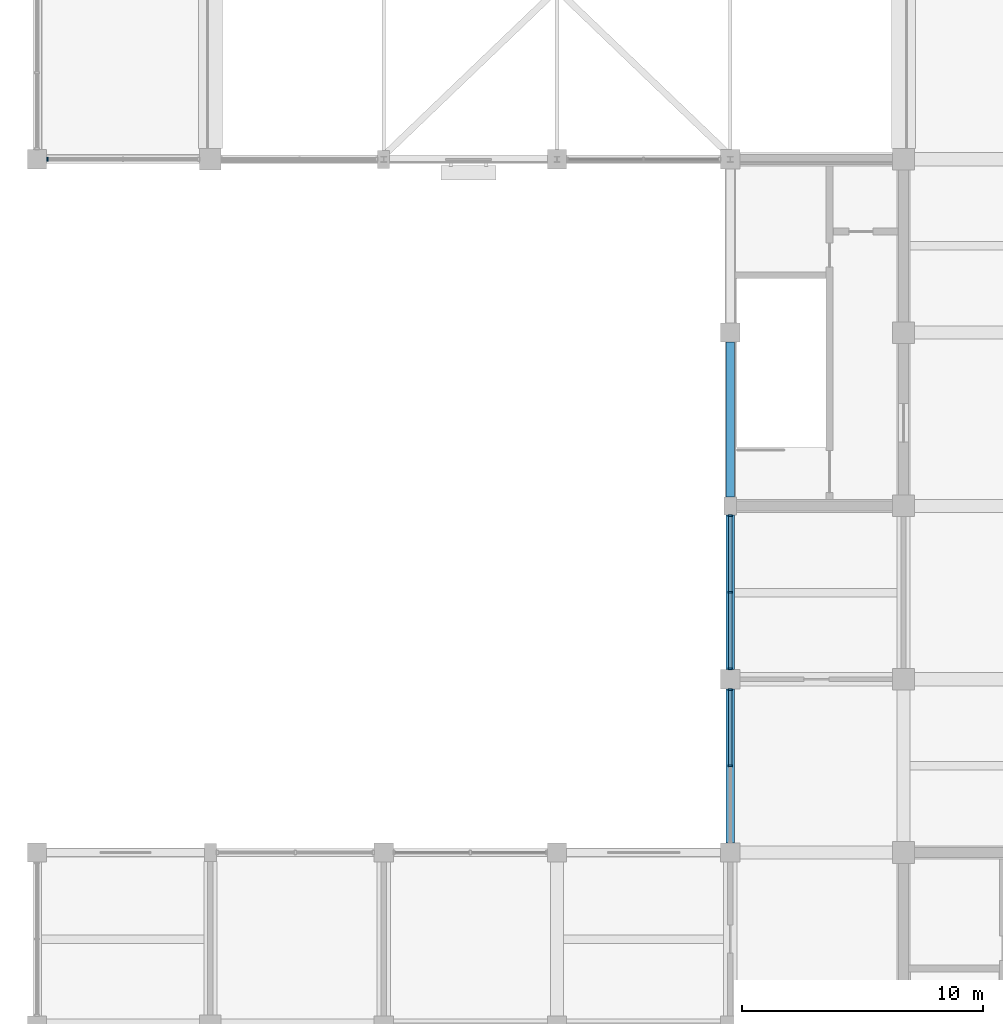
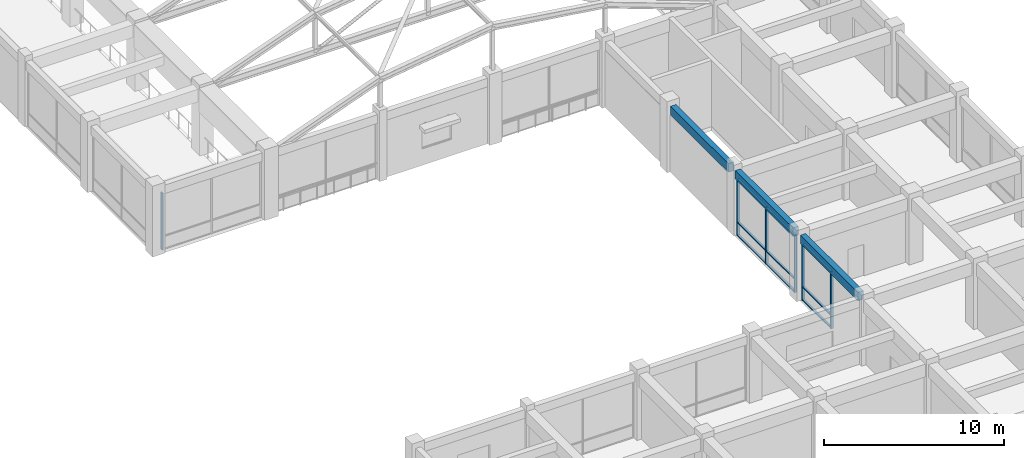
# One storey, part 6 of 75: 15 members, 3 beams, 3 elements without a shape of their own.
"""IFC4 building model written with IfcOpenShell, lengths in metres."""

from ifc_helpers import new_model, si_unit, direction, frame, origin, origin_2d, place, context, subcontext, project, spatial, rectangle, extrude, material, layer, layer_set, material_profile, profile_set, type_object, element, aggregate, save


model = new_model("IFC4")

# Units and contexts
model_context = context("Model", 3, precision=1e-05, world=origin(), true_north=direction((0.0, 1.0)))
body_context = subcontext(model_context, "Body", "Model", "MODEL_VIEW")
ifc_project = project(units=[si_unit("LENGTHUNIT", "METRE"), si_unit("AREAUNIT", "SQUARE_METRE"), si_unit("VOLUMEUNIT", "CUBIC_METRE"), si_unit("PLANEANGLEUNIT", "RADIAN"), si_unit("MASSUNIT", "GRAM", prefix="KILO")], contexts=[model_context])

# Site, building, storey
site_placement = place(None, origin())
site = spatial("IfcSite", under=ifc_project, at=site_placement, CompositionType="ELEMENT")
building_placement = place(site_placement, origin())
building = spatial("IfcBuilding", under=site, at=building_placement, Name="Cendaluz Park School", CompositionType="ELEMENT")
storey_placement = place(building_placement, frame((0.0, 0.0, 4.800048828125)))
storey = spatial("IfcBuildingStorey", under=building, at=storey_placement, Name="L01", CompositionType="ELEMENT", Elevation=4.800048828125)

# Beams
ifc_material_1 = material(Name="Concrete C40/50", Category="concrete")
ifc_material_profile_1 = material_profile(ifc_material_1, rectangle(XDim=0.35009765625, YDim=0.580078125, at=origin_2d()), Name="RC 350x580", Category="concrete")
ifc_profile_set_1 = profile_set([ifc_material_profile_1], Name="Concrete C40/50")
beam_type = type_object("IfcBeamType", Name="BM-RC04", PredefinedType="LINTEL", material=ifc_profile_set_1)
beam_placement = place(storey_placement, frame((28.800048828125, 29.199951171875, 4.139892578125), z_axis=(0.0, 1.0, 0.0), x_axis=(-1.0, 0.0, 0.0)))
element("IfcBeam", 1, at=beam_placement, inside=storey, type_object=beam_type, Name="BM-L01-BMRC04-0265", PredefinedType="LINTEL", context=body_context, shape_type="SweptSolid", body=[
    extrude(rectangle(XDim=0.35009765625, YDim=0.580078125, at=origin_2d()), origin(), (0.0, 0.0, 1.0), 6.400146484375),
])
for number, where, z_axis, x_axis, name in (
    (2, (28.800048828125, 36.39990234375, 4.139892578125), (0.0, 1.0, 0.0), (-1.0, 0.0, 0.0), "BM-L01-BMRC04-0266"),
    (3, (28.800048828125, 43.574951171875, 4.139892578125), (0.0, 1.0, 0.0), (-1.0, 0.0, 0.0), "BM-L01-BMRC04-0267"),
):
    element("IfcBeam", number, at=place(storey_placement, frame(where, z_axis=z_axis, x_axis=x_axis)), inside=storey, type_object=beam_type, Name=name, PredefinedType="LINTEL", context=body_context, shape_type="SweptSolid", body=[
        extrude(rectangle(XDim=0.35009765625, YDim=0.580078125, at=origin_2d()), origin(), (0.0, 0.0, 1.0), 6.425048828125),
    ])

# Curtain wall, member
ifc_material_2 = material(Name="Anodised Aluminium 6063-T6", Category="aluminium")
ifc_layer_1 = layer(ifc_material_2, 0.179931640625)
ifc_layer_set_1 = layer_set([ifc_layer_1], Name="Anodised Aluminium 6063-T6")
curtain_wall_type_1 = type_object("IfcCurtainWallType", Name="CW-127x77", PredefinedType="NOTDEFINED", material=ifc_layer_set_1)
curtain_wall_1_placement = place(storey_placement, origin())
curtain_wall_1 = element("IfcCurtainWall", 4, at=curtain_wall_1_placement, inside=storey, type_object=curtain_wall_type_1, Name="CW-L01-005", PredefinedType="NOTDEFINED")
ifc_material_profile_2 = material_profile(ifc_material_2, rectangle(XDim=0.179931640625, YDim=0.070068359375, at=origin_2d()), Name="CWM 180x70", Category="aluminium")
ifc_profile_set_2 = profile_set([ifc_material_profile_2], Name="Anodised Aluminium 6063-T6")
member_type_1 = type_object("IfcMemberType", Name="CWM-01", PredefinedType="MULLION", material=ifc_profile_set_2)
member_1_placement = place(storey_placement, frame((0.43505859375, 57.60009765625, 0.0), z_axis=(0.0, 0.0, 1.0), x_axis=(0.0, 1.0, 0.0)))
member_1 = element("IfcMember", 5, at=member_1_placement, type_object=member_type_1, Name="CP-L01-0053", PredefinedType="MULLION", context=body_context, shape_type="SweptSolid", body=[
    extrude(rectangle(XDim=0.179931640625, YDim=0.070068359375, at=origin_2d()), origin(), (0.0, 0.0, 1.0), 3.849853515625),
])
aggregate(curtain_wall_1, [member_1])

# Curtain wall, members
ifc_layer_2 = layer(ifc_material_2, 0.179931640625)
ifc_layer_set_2 = layer_set([ifc_layer_2], Name="Anodised Aluminium 6063-T6")
curtain_wall_type_2 = type_object("IfcCurtainWallType", Name="CW-128x77", PredefinedType="NOTDEFINED", material=ifc_layer_set_2)
curtain_wall_2_placement = place(storey_placement, origin())
curtain_wall_2 = element("IfcCurtainWall", 6, at=curtain_wall_2_placement, inside=storey, type_object=curtain_wall_type_2, Name="CW-L01-020", PredefinedType="NOTDEFINED")
member_2_placement = place(storey_placement, frame((28.800048828125, 32.39990234375, 0.0), z_axis=(0.0, 0.0, 1.0), x_axis=(-1.0, 0.0, 0.0)))
member_2 = element("IfcMember", 7, at=member_2_placement, type_object=member_type_1, Name="CP-L01-0249", PredefinedType="MULLION", context=body_context, shape_type="SweptSolid", body=[
    extrude(rectangle(XDim=0.179931640625, YDim=0.070068359375, at=origin_2d()), origin(), (0.0, 0.0, 1.0), 3.849853515625),
])
member_3_placement = place(storey_placement, frame((28.800048828125, 35.56494140625, 0.0), z_axis=(0.0, 0.0, 1.0), x_axis=(-1.0, 0.0, 0.0)))
member_3 = element("IfcMember", 8, at=member_3_placement, type_object=member_type_1, Name="CP-L01-0250", PredefinedType="MULLION", context=body_context, shape_type="SweptSolid", body=[
    extrude(rectangle(XDim=0.179931640625, YDim=0.070068359375, at=origin_2d()), origin(), (0.0, 0.0, 1.0), 3.849853515625),
])

curtain_wall_3_placement = place(storey_placement, origin())
curtain_wall_3 = element("IfcCurtainWall", 9, at=curtain_wall_3_placement, inside=storey, type_object=curtain_wall_type_2, Name="CW-L01-021", PredefinedType="NOTDEFINED")
member_4_placement = place(storey_placement, frame((28.800048828125, 36.43505859375, 0.0), z_axis=(0.0, 0.0, 1.0), x_axis=(-1.0, 0.0, 0.0)))
member_4 = element("IfcMember", 10, at=member_4_placement, type_object=member_type_1, Name="CP-L01-0261", PredefinedType="MULLION", context=body_context, shape_type="SweptSolid", body=[
    extrude(rectangle(XDim=0.179931640625, YDim=0.070068359375, at=origin_2d()), origin(), (0.0, 0.0, 1.0), 3.849853515625),
])
member_5_placement = place(storey_placement, frame((28.800048828125, 39.612548828125, 0.0), z_axis=(0.0, 0.0, 1.0), x_axis=(-1.0, 0.0, 0.0)))
member_5 = element("IfcMember", 11, at=member_5_placement, type_object=member_type_1, Name="CP-L01-0262", PredefinedType="MULLION", context=body_context, shape_type="SweptSolid", body=[
    extrude(rectangle(XDim=0.179931640625, YDim=0.070068359375, at=origin_2d()), origin(), (0.0, 0.0, 1.0), 3.849853515625),
])
member_6_placement = place(storey_placement, frame((28.800048828125, 42.7900390625, 0.0), z_axis=(0.0, 0.0, 1.0), x_axis=(-1.0, 0.0, 0.0)))
member_6 = element("IfcMember", 12, at=member_6_placement, type_object=member_type_1, Name="CP-L01-0263", PredefinedType="MULLION", context=body_context, shape_type="SweptSolid", body=[
    extrude(rectangle(XDim=0.179931640625, YDim=0.070068359375, at=origin_2d()), origin(), (0.0, 0.0, 1.0), 3.849853515625),
])

# Member
ifc_material_profile_3 = material_profile(ifc_material_2, rectangle(XDim=0.139892578125, YDim=0.070068359375, at=origin_2d()), Name="CWT 140x70", Category="aluminium")
ifc_profile_set_3 = profile_set([ifc_material_profile_3], Name="Anodised Aluminium 6063-T6")
member_type_2 = type_object("IfcMemberType", Name="CWT-01", PredefinedType="USERDEFINED", material=ifc_profile_set_3)
member_7_placement = place(storey_placement, frame((28.800048828125, 32.43505859375, 0.034912109375), z_axis=(0.0, 1.0, 0.0), x_axis=(-1.0, 0.0, 0.0)))
member_7 = element("IfcMember", 13, at=member_7_placement, type_object=member_type_2, Name="CP-L01-0256", ObjectType="TRANSOM", PredefinedType="USERDEFINED", context=body_context, shape_type="SweptSolid", body=[
    extrude(rectangle(XDim=0.139892578125, YDim=0.070068359375, at=origin_2d()), origin(), (0.0, 0.0, 1.0), 3.094970703125),
])

member_8_placement = place(storey_placement, frame((28.800048828125, 32.43505859375, 0.89990234375), z_axis=(0.0, 1.0, 0.0), x_axis=(-1.0, 0.0, 0.0)))
member_8 = element("IfcMember", 14, at=member_8_placement, type_object=member_type_2, Name="CP-L01-0257", ObjectType="TRANSOM", PredefinedType="USERDEFINED", context=body_context, shape_type="SweptSolid", body=[
    extrude(rectangle(XDim=0.139892578125, YDim=0.070068359375, at=origin_2d()), origin(), (0.0, 0.0, 1.0), 3.094970703125),
])

member_9_placement = place(storey_placement, frame((28.800048828125, 32.43505859375, 3.81494140625), z_axis=(0.0, 1.0, 0.0), x_axis=(-1.0, 0.0, 0.0)))
member_9 = element("IfcMember", 15, at=member_9_placement, type_object=member_type_2, Name="CP-L01-0258", ObjectType="TRANSOM", PredefinedType="USERDEFINED", context=body_context, shape_type="SweptSolid", body=[
    extrude(rectangle(XDim=0.139892578125, YDim=0.070068359375, at=origin_2d()), origin(), (0.0, 0.0, 1.0), 3.094970703125),
])

aggregate(curtain_wall_2, [member_2, member_3, member_7, member_8, member_9])

member_10_placement = place(storey_placement, frame((28.800048828125, 36.469970703125, 0.034912109375), z_axis=(0.0, 1.0, 0.0), x_axis=(-1.0, 0.0, 0.0)))
member_10 = element("IfcMember", 16, at=member_10_placement, type_object=member_type_2, Name="CP-L01-0264", ObjectType="TRANSOM", PredefinedType="USERDEFINED", context=body_context, shape_type="SweptSolid", body=[
    extrude(rectangle(XDim=0.139892578125, YDim=0.070068359375, at=origin_2d()), origin(), (0.0, 0.0, 1.0), 3.107421875),
])

member_11_placement = place(storey_placement, frame((28.800048828125, 36.469970703125, 0.89990234375), z_axis=(0.0, 1.0, 0.0), x_axis=(-1.0, 0.0, 0.0)))
member_11 = element("IfcMember", 17, at=member_11_placement, type_object=member_type_2, Name="CP-L01-0265", ObjectType="TRANSOM", PredefinedType="USERDEFINED", context=body_context, shape_type="SweptSolid", body=[
    extrude(rectangle(XDim=0.139892578125, YDim=0.070068359375, at=origin_2d()), origin(), (0.0, 0.0, 1.0), 3.107421875),
])

member_12_placement = place(storey_placement, frame((28.800048828125, 36.469970703125, 3.81494140625), z_axis=(0.0, 1.0, 0.0), x_axis=(-1.0, 0.0, 0.0)))
member_12 = element("IfcMember", 18, at=member_12_placement, type_object=member_type_2, Name="CP-L01-0266", ObjectType="TRANSOM", PredefinedType="USERDEFINED", context=body_context, shape_type="SweptSolid", body=[
    extrude(rectangle(XDim=0.139892578125, YDim=0.070068359375, at=origin_2d()), origin(), (0.0, 0.0, 1.0), 3.107421875),
])

member_13_placement = place(storey_placement, frame((28.800048828125, 39.6474609375, 0.034912109375), z_axis=(0.0, 1.0, 0.0), x_axis=(-1.0, 0.0, 0.0)))
member_13 = element("IfcMember", 19, at=member_13_placement, type_object=member_type_2, Name="CP-L01-0269", ObjectType="TRANSOM", PredefinedType="USERDEFINED", context=body_context, shape_type="SweptSolid", body=[
    extrude(rectangle(XDim=0.139892578125, YDim=0.070068359375, at=origin_2d()), origin(), (0.0, 0.0, 1.0), 3.107421875),
])

member_14_placement = place(storey_placement, frame((28.800048828125, 39.6474609375, 0.89990234375), z_axis=(0.0, 1.0, 0.0), x_axis=(-1.0, 0.0, 0.0)))
member_14 = element("IfcMember", 20, at=member_14_placement, type_object=member_type_2, Name="CP-L01-0270", ObjectType="TRANSOM", PredefinedType="USERDEFINED", context=body_context, shape_type="SweptSolid", body=[
    extrude(rectangle(XDim=0.139892578125, YDim=0.070068359375, at=origin_2d()), origin(), (0.0, 0.0, 1.0), 3.107421875),
])

member_15_placement = place(storey_placement, frame((28.800048828125, 39.6474609375, 3.81494140625), z_axis=(0.0, 1.0, 0.0), x_axis=(-1.0, 0.0, 0.0)))
member_15 = element("IfcMember", 21, at=member_15_placement, type_object=member_type_2, Name="CP-L01-0271", ObjectType="TRANSOM", PredefinedType="USERDEFINED", context=body_context, shape_type="SweptSolid", body=[
    extrude(rectangle(XDim=0.139892578125, YDim=0.070068359375, at=origin_2d()), origin(), (0.0, 0.0, 1.0), 3.107421875),
])

aggregate(curtain_wall_3, [member_4, member_5, member_6, member_10, member_11, member_12, member_13, member_14, member_15])

save(model, "model.ifc")
